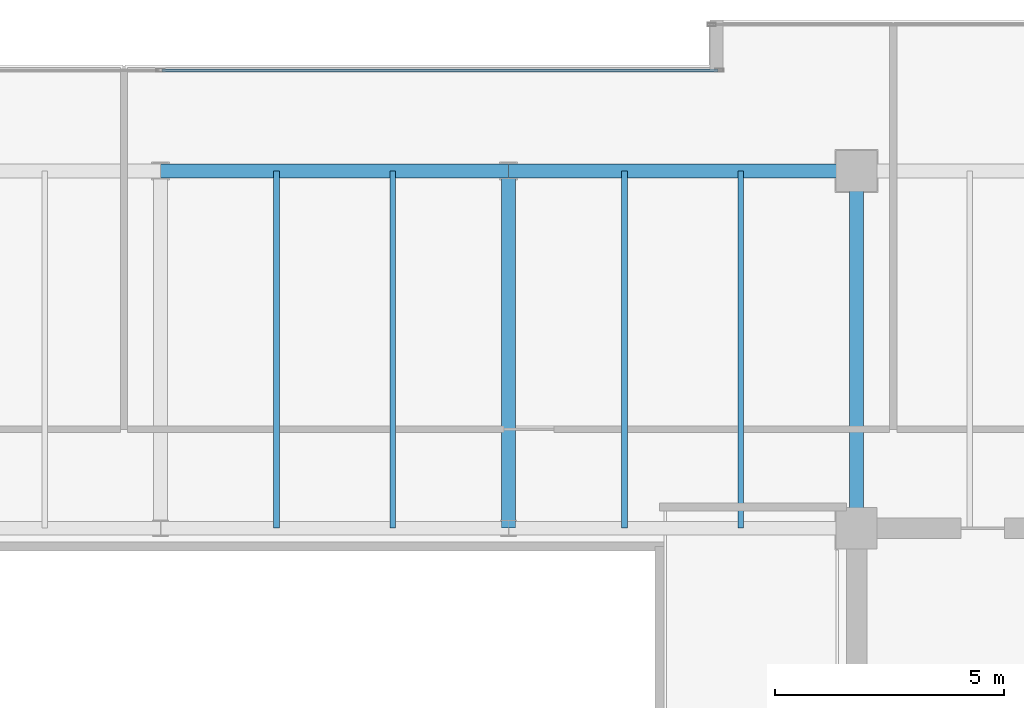
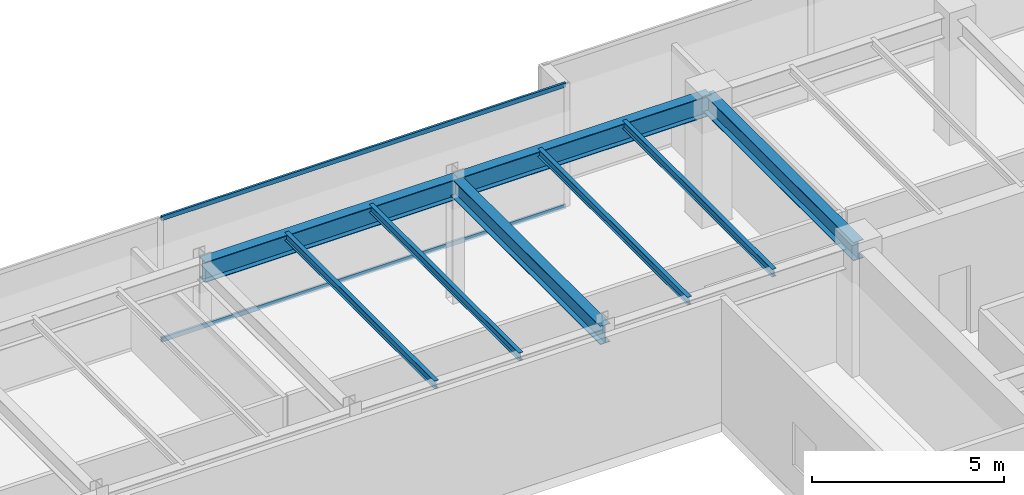
# One storey, part 23 of 34: 8 beams, 2 members, 1 element without a shape of its own.
"""IFC4 building model written with IfcOpenShell, lengths in metres."""

from ifc_helpers import new_model, si_unit, direction, frame, origin, origin_2d, place, context, subcontext, project, spatial, hollow_rectangle, i_section, extrude, source, transform, mapped, material, layer, layer_set, material_profile, profile_set, type_object, type_shapes, element, aggregate, save


model = new_model("IFC4")

# Units and contexts
model_context = context("Model", 3, precision=1e-05, world=origin(), true_north=direction((0.0, 1.0)))
body_context = subcontext(model_context, "Body", "Model", "MODEL_VIEW")
ifc_project = project(units=[si_unit("LENGTHUNIT", "METRE"), si_unit("AREAUNIT", "SQUARE_METRE"), si_unit("VOLUMEUNIT", "CUBIC_METRE"), si_unit("PLANEANGLEUNIT", "RADIAN"), si_unit("MASSUNIT", "GRAM", prefix="KILO")], contexts=[model_context])

# Site, building, storey
site_placement = place(None, origin())
site = spatial("IfcSite", under=ifc_project, at=site_placement, CompositionType="ELEMENT")
building_placement = place(site_placement, origin())
building = spatial("IfcBuilding", under=site, at=building_placement, Name="Haelvirn Gate Laboratories", CompositionType="ELEMENT")
storey_placement = place(building_placement, frame((0.0, 0.0, 322.800048828125)))
storey = spatial("IfcBuildingStorey", under=building, at=storey_placement, Name="L77", CompositionType="ELEMENT", Elevation=322.800048828125)

# Beams
ifc_material_1 = material(Name="Steel SM355", Category="steel")
ifc_material_profile_1 = material_profile(ifc_material_1, i_section(OverallWidth=0.300048828125, OverallDepth=0.587890625, WebThickness=0.011962890625, FlangeThickness=0.02001953125, at=origin_2d()), Name="H-588x300x12x20")
ifc_profile_set_1 = profile_set([ifc_material_profile_1], Name="Steel SM355")
beam_type_1 = type_object("IfcBeamType", Name="BM-G-588", PredefinedType="BEAM", material=ifc_profile_set_1)
shared_shape_1 = source(origin(), body_context, "Body", "SweptSolid", [
    extrude(i_section(OverallWidth=0.300048828125, OverallDepth=0.587890625, WebThickness=0.011962890625, FlangeThickness=0.02001953125, at=origin_2d()), origin(), (0.0, 0.0, 1.0), 7.800048828125),
])
type_shapes(beam_type_1, [shared_shape_1])
for number, where, z_axis, x_axis, name in (
    (1, (45.0, 33.800048828125, 3.6259765625), (0.0, 1.0, 0.0), (-1.0, 0.0, 0.0), "L77 Frame Girder X45.0 (33.8-41.6)"),
    (2, (52.60009765625, 33.800048828125, 3.6259765625), (0.0, 1.0, 0.0), (-1.0, 0.0, 0.0), "L77 Frame Girder X52.6 (33.8-41.6)"),
):
    element("IfcBeam", number, at=place(storey_placement, frame(where, z_axis=z_axis, x_axis=x_axis)), inside=storey, type_object=beam_type_1, Name=name, PredefinedType="BEAM", context=body_context, shape_type="MappedRepresentation", body=[
        mapped(shared_shape_1, transform((0.0, 0.0, 0.0), scale=1.0)),
    ])
ifc_material_profile_2 = material_profile(ifc_material_1, i_section(OverallWidth=0.300048828125, OverallDepth=0.64990234375, WebThickness=0.012939453125, FlangeThickness=0.02197265625, at=origin_2d()), Name="H-650x300x13x22")
ifc_profile_set_2 = profile_set([ifc_material_profile_2], Name="Steel SM355")
beam_type_2 = type_object("IfcBeamType", Name="BM-G-650", PredefinedType="BEAM", material=ifc_profile_set_2)
shared_shape_2 = source(origin(), body_context, "Body", "SweptSolid", [
    extrude(i_section(OverallWidth=0.300048828125, OverallDepth=0.64990234375, WebThickness=0.012939453125, FlangeThickness=0.02197265625, at=origin_2d()), origin(), (0.0, 0.0, 1.0), 7.60009765625),
])
type_shapes(beam_type_2, [shared_shape_2])
for number, where, z_axis, x_axis, name in (
    (3, (37.39990234375, 41.60009765625, 3.594970703125), (1.0, 0.0, 0.0), (0.0, 1.0, 0.0), "L77 Primary Girder Y41.6 (37.4-45.0)"),
    (4, (45.0, 41.60009765625, 3.594970703125), (1.0, 0.0, 0.0), (0.0, 1.0, 0.0), "L77 Primary Girder Y41.6 (45.0-52.6)"),
):
    element("IfcBeam", number, at=place(storey_placement, frame(where, z_axis=z_axis, x_axis=x_axis)), inside=storey, type_object=beam_type_2, Name=name, PredefinedType="BEAM", context=body_context, shape_type="MappedRepresentation", body=[
        mapped(shared_shape_2, transform((0.0, 0.0, 0.0), scale=1.0)),
    ])
ifc_material_profile_3 = material_profile(ifc_material_1, i_section(OverallWidth=0.125, OverallDepth=0.25, WebThickness=0.006103515625, FlangeThickness=0.009033203125, at=origin_2d()), Name="H-250x125x6x9")
ifc_profile_set_3 = profile_set([ifc_material_profile_3], Name="Steel SM355")
beam_type_3 = type_object("IfcBeamType", Name="BM-J-250", PredefinedType="JOIST", material=ifc_profile_set_3)
shared_shape_3 = source(origin(), body_context, "Body", "SweptSolid", [
    extrude(i_section(OverallWidth=0.125, OverallDepth=0.25, WebThickness=0.006103515625, FlangeThickness=0.009033203125, at=origin_2d()), origin(), (0.0, 0.0, 1.0), 7.800048828125),
])
type_shapes(beam_type_3, [shared_shape_3])
for number, where, z_axis, x_axis, name in (
    (5, (39.929931640625, 33.800048828125, 3.794921875), (0.0, 1.0, 0.0), (-1.0, 0.0, 0.0), "L77 Composite Lab Joist North X39.93"),
    (6, (42.469970703125, 33.800048828125, 3.794921875), (0.0, 1.0, 0.0), (-1.0, 0.0, 0.0), "L77 Composite Lab Joist North X42.47"),
    (7, (47.530029296875, 33.800048828125, 3.794921875), (0.0, 1.0, 0.0), (-1.0, 0.0, 0.0), "L77 Composite Lab Joist North X47.53"),
    (8, (50.070068359375, 33.800048828125, 3.794921875), (0.0, 1.0, 0.0), (-1.0, 0.0, 0.0), "L77 Composite Lab Joist North X50.07"),
):
    element("IfcBeam", number, at=place(storey_placement, frame(where, z_axis=z_axis, x_axis=x_axis)), inside=storey, type_object=beam_type_3, Name=name, PredefinedType="JOIST", context=body_context, shape_type="MappedRepresentation", body=[
        mapped(shared_shape_3, transform((0.0, 0.0, 0.0), scale=1.0)),
    ])

# Curtain wall, members
ifc_material_2 = material(Name="Anodised bronze unitised aluminium & triple low-E glass", Category="aluminium")
ifc_layer = layer(ifc_material_2, 0.176025390625, Name="CW-SYS-4")
ifc_layer_set = layer_set([ifc_layer], Name="Anodised bronze unitised aluminium & triple low-E glass")
curtain_wall_type = type_object("IfcCurtainWallType", Name="CW-SYS-4", PredefinedType="NOTDEFINED", material=ifc_layer_set)
curtain_wall_placement = place(storey_placement, origin())
curtain_wall = element("IfcCurtainWall", 9, at=curtain_wall_placement, inside=storey, type_object=curtain_wall_type, Name="L77 Unitised Curtain Wall CW-L77-P0-E12-1", PredefinedType="NOTDEFINED")
ifc_material_3 = material(Name="Extruded aluminium 6063-T6 (anodised bronze)", Category="aluminium")
ifc_material_profile_4 = material_profile(ifc_material_3, hollow_rectangle(XDim=0.06494140625, YDim=0.139892578125, WallThickness=0.00390625, at=origin_2d()), Name="CWT-140x65x4")
ifc_profile_set_4 = profile_set([ifc_material_profile_4], Name="Extruded aluminium 6063-T6 (anodised bronze)")
member_type = type_object("IfcMemberType", Name="CWT-T140", PredefinedType="USERDEFINED", material=ifc_profile_set_4)
shared_shape_4 = source(origin(), body_context, "Body", "SweptSolid", [
    extrude(hollow_rectangle(XDim=0.06494140625, YDim=0.139892578125, WallThickness=0.00390625, at=origin_2d()), origin(), (0.0, 0.0, 1.0), 12.135009765625),
])
type_shapes(member_type, [shared_shape_4])
member_1_placement = place(storey_placement, frame((37.43505859375, 43.800048828125, 0.032470703125), z_axis=(1.0, 0.0, 0.0), x_axis=(0.0, 1.0, 0.0)))
member_1 = element("IfcMember", 10, at=member_1_placement, type_object=member_type, Name="CW4 transom 2.1", ObjectType="TRANSOM", PredefinedType="USERDEFINED", context=body_context, shape_type="MappedRepresentation", body=[
    mapped(shared_shape_4, transform((0.0, 0.0, 0.0), scale=1.0)),
])
member_2_placement = place(storey_placement, frame((37.43505859375, 43.800048828125, 3.887451171875), z_axis=(1.0, 0.0, 0.0), x_axis=(0.0, 1.0, 0.0)))
member_2 = element("IfcMember", 11, at=member_2_placement, type_object=member_type, Name="CW4 transom 2.2", ObjectType="TRANSOM", PredefinedType="USERDEFINED", context=body_context, shape_type="MappedRepresentation", body=[
    mapped(shared_shape_4, transform((0.0, 0.0, 0.0), scale=1.0)),
])
aggregate(curtain_wall, [member_1, member_2])

save(model, "model.ifc")
